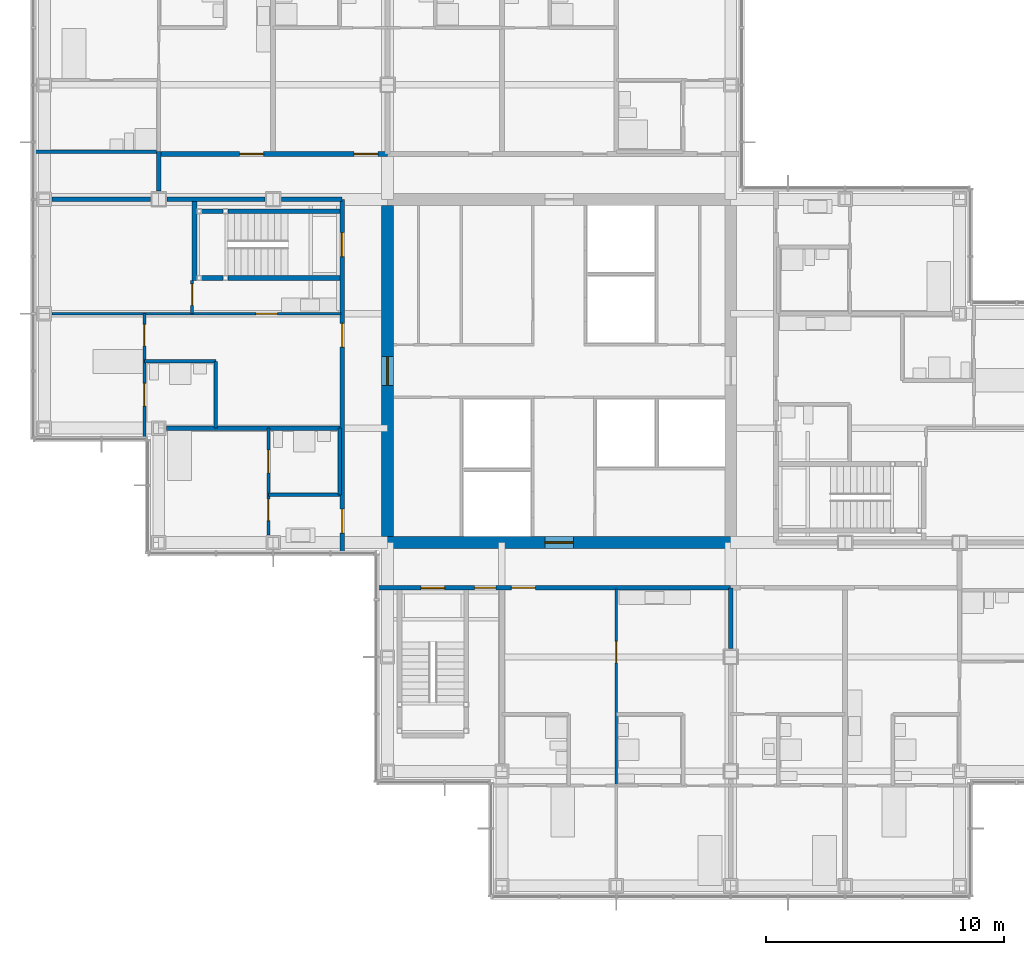
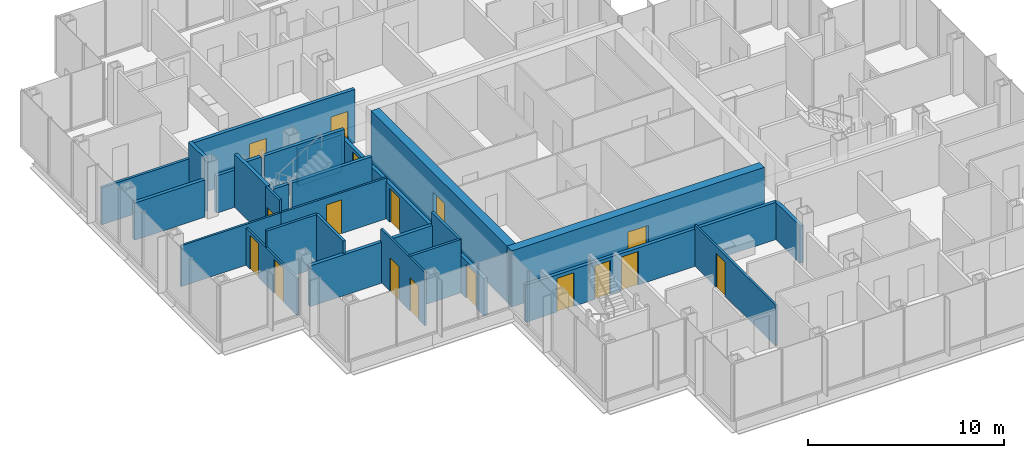
# One storey, part 13 of 20: 27 walls, 17 doors, 17 openings.
"""IFC4 building model written with IfcOpenShell, lengths in metres."""

from ifc_helpers import new_model, si_unit, direction, frame, frame_2d, origin, place, context, subcontext, project, spatial, rectangle, extrude, material, layer, layer_set, type_object, element, fill, save


model = new_model("IFC4")

# Units and contexts
model_context = context("Model", 3, precision=1e-05, world=origin(), true_north=direction((0.0, 1.0)))
body_context = subcontext(model_context, "Body", "Model", "MODEL_VIEW")
ifc_project = project(units=[si_unit("LENGTHUNIT", "METRE"), si_unit("AREAUNIT", "SQUARE_METRE"), si_unit("VOLUMEUNIT", "CUBIC_METRE"), si_unit("PLANEANGLEUNIT", "RADIAN"), si_unit("MASSUNIT", "GRAM", prefix="KILO")], contexts=[model_context])

# Site, building, storey
site_placement = place(None, origin())
site = spatial("IfcSite", under=ifc_project, at=site_placement, CompositionType="ELEMENT")
building_placement = place(site_placement, origin())
building = spatial("IfcBuilding", under=site, at=building_placement, Name="Kvirike Care Tower", CompositionType="ELEMENT")
storey_placement = place(building_placement, frame((0.0, 0.0, 119.0)))
storey = spatial("IfcBuildingStorey", under=building, at=storey_placement, Name="L32", CompositionType="ELEMENT", Elevation=119.0)

# Walls
ifc_material_1 = material(Name="Moisture-resistant board partition", Category="gypsum")
ifc_layer_1 = layer(ifc_material_1, 0.14990234375)
ifc_layer_set_1 = layer_set([ifc_layer_1], Name="BATHROOM WALL 150")
wall_type_1 = type_object("IfcWallType", Name="BATHROOM WALL 150", PredefinedType="PARTITIONING", material=ifc_layer_set_1)
wall_1_placement = place(storey_placement, frame((4.199951171875, 36.39990234375, 0.0), z_axis=(0.0, 0.0, 1.0), x_axis=(1.0, 0.0, 0.0)))
element("IfcWall", 1, at=wall_1_placement, inside=storey, type_object=wall_type_1, Name="Bathroom Wall 150 L32", PredefinedType="PARTITIONING", context=body_context, shape_type="SweptSolid", body=[
    extrude(rectangle(XDim=3.0, YDim=0.14990234375, at=frame_2d((1.5, 0.0))), origin(), (0.0, 0.0, 1.0), 3.330078125),
])
wall_2_placement = place(storey_placement, frame((7.199951171875, 36.39990234375, 0.0), z_axis=(0.0, 0.0, 1.0), x_axis=(0.0, -1.0, 0.0)))
element("IfcWall", 2, at=wall_2_placement, inside=storey, type_object=wall_type_1, Name="Bathroom Wall 150 L32", PredefinedType="PARTITIONING", context=body_context, shape_type="SweptSolid", body=[
    extrude(rectangle(XDim=2.7998046875, YDim=0.14990234375, at=frame_2d((1.39990234375, 0.0))), origin(), (0.0, 0.0, 1.0), 3.330078125),
])
wall_3_placement = place(storey_placement, frame((9.39990234375, 30.800048828125, 0.0), z_axis=(0.0, 0.0, 1.0), x_axis=(1.0, 0.0, 0.0)))
element("IfcWall", 3, at=wall_3_placement, inside=storey, type_object=wall_type_1, Name="Bathroom Wall 150 L32", PredefinedType="PARTITIONING", context=body_context, shape_type="SweptSolid", body=[
    extrude(rectangle(XDim=3.0, YDim=0.14990234375, at=frame_2d((1.5, 0.0))), origin(), (0.0, 0.0, 1.0), 3.330078125),
])
wall_4_placement = place(storey_placement, frame((12.39990234375, 33.60009765625, 0.0), z_axis=(0.0, 0.0, 1.0), x_axis=(0.0, -1.0, 0.0)))
element("IfcWall", 4, at=wall_4_placement, inside=storey, type_object=wall_type_1, Name="Bathroom Wall 150 L32", PredefinedType="PARTITIONING", context=body_context, shape_type="SweptSolid", body=[
    extrude(rectangle(XDim=2.800048828125, YDim=0.14990234375, at=frame_2d((1.39990234375, 0.0))), origin(), (0.0, 0.0, 1.0), 3.330078125),
])
wall_5_placement = place(storey_placement, frame((4.699951171875, 45.199951171875, 0.0), z_axis=(0.0, 0.0, 1.0), x_axis=(-1.0, 0.0, 0.0)))
element("IfcWall", 5, at=wall_5_placement, inside=storey, type_object=wall_type_1, Name="Bathroom Wall 150 L32", PredefinedType="PARTITIONING", context=body_context, shape_type="SweptSolid", body=[
    extrude(rectangle(XDim=5.139892578125, YDim=0.14990234375, at=frame_2d((2.56982421875, 0.0))), origin(), (0.0, 0.0, 1.0), 2.320068359375),
])

# Wall, opening, door
ifc_material_2 = material(Name="Concrete C50/60", Category="concrete")
ifc_layer_2 = layer(ifc_material_2, 0.5)
ifc_layer_set_2 = layer_set([ifc_layer_2], Name="CORE WALL 500 C50-60")
wall_type_2 = type_object("IfcWallType", Name="CORE WALL 500 C50-60", PredefinedType="SHEAR", material=ifc_layer_set_2)
wall_6_placement = place(storey_placement, frame((14.14990234375, 28.800048828125, -0.169921875), z_axis=(0.0, 0.0, 1.0), x_axis=(1.0, 0.0, 0.0)))
wall_6 = element("IfcWall", 6, at=wall_6_placement, inside=storey, type_object=wall_type_2, Name="Core wall S L32", PredefinedType="SHEAR", context=body_context, shape_type="SweptSolid", body=[
    extrude(rectangle(XDim=14.900146484375, YDim=0.5, at=frame_2d((7.4501953125, 0.0))), origin(), (0.0, 0.0, 1.0), 3.5),
])
opening_1_placement = place(wall_6_placement, frame((6.85009765625, 0.0, 0.169921875)))
opening_1 = element("IfcOpeningElement", 7, at=opening_1_placement, cuts=wall_6, Name="Opening 32-068", PredefinedType="OPENING", context=body_context, shape_type="SweptSolid", body=[
    extrude(rectangle(XDim=1.199951171875, YDim=2.10009765625, at=frame_2d((0.60009765625, 1.050048828125))), frame((0.0, 0.260498046875, 0.0), z_axis=(0.0, -1.0, 0.0), x_axis=(1.0, 0.0, 0.0)), (0.0, 0.0, 1.0), 0.52099609375),
])
ifc_material_3 = material(Name="Timber door set", Category="wood")
door_type_1 = type_object("IfcDoorType", Name="CORE DOOR 1200", OperationType="SINGLE_SWING_LEFT", PredefinedType="DOOR", material=ifc_material_3)
door_1_placement = place(opening_1_placement, origin())
door_1 = element("IfcDoor", 8, at=door_1_placement, inside=storey, type_object=door_type_1, Name="Core door S L32", OperationType="SINGLE_SWING_LEFT", OverallHeight=2.10009765625, OverallWidth=1.199951171875, PredefinedType="DOOR", context=body_context, shape_type="SweptSolid", body=[
    extrude(rectangle(XDim=1.199951171875, YDim=2.10009765625, at=frame_2d((0.60009765625, 1.050048828125))), frame((0.0, 0.02685546875, 0.0), z_axis=(0.0, -1.0, 0.0), x_axis=(1.0, 0.0, 0.0)), (0.0, 0.0, 1.0), 0.053955078125),
])
fill(opening_1, door_1)

wall_7_placement = place(storey_placement, frame((14.39990234375, 42.949951171875, -0.169921875), z_axis=(0.0, 0.0, 1.0), x_axis=(0.0, -1.0, 0.0)))
wall_7 = element("IfcWall", 9, at=wall_7_placement, inside=storey, type_object=wall_type_2, Name="Core wall W L32", PredefinedType="SHEAR", context=body_context, shape_type="SweptSolid", body=[
    extrude(rectangle(XDim=13.89990234375, YDim=0.5, at=frame_2d((6.949951171875, 0.0))), origin(), (0.0, 0.0, 1.0), 3.5),
])
opening_2_placement = place(wall_7_placement, frame((6.35009765625, 0.0, 0.169921875)))
opening_2 = element("IfcOpeningElement", 10, at=opening_2_placement, cuts=wall_7, Name="Opening 32-069", PredefinedType="OPENING", context=body_context, shape_type="SweptSolid", body=[
    extrude(rectangle(XDim=1.199951171875, YDim=2.10009765625, at=frame_2d((0.60009765625, 1.050048828125))), frame((0.0, 0.260498046875, 0.0), z_axis=(0.0, -1.0, 0.0), x_axis=(1.0, 0.0, 0.0)), (0.0, 0.0, 1.0), 0.52099609375),
])
door_2_placement = place(opening_2_placement, origin())
door_2 = element("IfcDoor", 11, at=door_2_placement, inside=storey, type_object=door_type_1, Name="Core door W L32", OperationType="SINGLE_SWING_LEFT", OverallHeight=2.10009765625, OverallWidth=1.199951171875, PredefinedType="DOOR", context=body_context, shape_type="SweptSolid", body=[
    extrude(rectangle(XDim=1.199951171875, YDim=2.10009765625, at=frame_2d((0.60009765625, 1.050048828125))), frame((0.0, 0.02685546875, 0.0), z_axis=(0.0, -1.0, 0.0), x_axis=(1.0, 0.0, 0.0)), (0.0, 0.0, 1.0), 0.053955078125),
])
fill(opening_2, door_2)

# Wall, openings, doors
ifc_material_4 = material(Name="Plasterboard corridor wall", Category="gypsum")
ifc_layer_3 = layer(ifc_material_4, 0.199951171875)
ifc_layer_set_3 = layer_set([ifc_layer_3], Name="CORRIDOR WALL 200")
wall_type_3 = type_object("IfcWallType", Name="CORRIDOR WALL 200", PredefinedType="PARTITIONING", material=ifc_layer_set_3)
wall_8_placement = place(storey_placement, frame((12.5, 43.199951171875, 0.0), z_axis=(0.0, 0.0, 1.0), x_axis=(0.0, -1.0, 0.0)))
wall_8 = element("IfcWall", 12, at=wall_8_placement, inside=storey, type_object=wall_type_3, Name="Corridor Wall 200 L32", PredefinedType="PARTITIONING", context=body_context, shape_type="SweptSolid", body=[
    extrude(rectangle(XDim=14.83984375, YDim=0.199951171875, at=frame_2d((7.419921875, 0.0))), origin(), (0.0, 0.0, 1.0), 2.320068359375),
])
opening_3_placement = place(wall_8_placement, frame((1.39990234375, 0.0, 0.0)))
opening_3 = element("IfcOpeningElement", 13, at=opening_3_placement, cuts=wall_8, Name="Opening 32-007", PredefinedType="OPENING", context=body_context, shape_type="SweptSolid", body=[
    extrude(rectangle(XDim=1.0, YDim=2.10009765625, at=frame_2d((0.5, 1.050048828125))), frame((0.0, 0.110595703125, 0.0), z_axis=(0.0, -1.0, 0.0), x_axis=(1.0, 0.0, 0.0)), (0.0, 0.0, 1.0), 0.220947265625),
])
opening_4_placement = place(wall_8_placement, frame((5.199951171875, 0.0, 0.0)))
opening_4 = element("IfcOpeningElement", 14, at=opening_4_placement, cuts=wall_8, Name="Opening 32-008", PredefinedType="OPENING", context=body_context, shape_type="SweptSolid", body=[
    extrude(rectangle(XDim=1.0, YDim=2.10009765625, at=frame_2d((0.5, 1.050048828125))), frame((0.0, 0.110595703125, 0.0), z_axis=(0.0, -1.0, 0.0), x_axis=(1.0, 0.0, 0.0)), (0.0, 0.0, 1.0), 0.220947265625),
])
opening_5_placement = place(wall_8_placement, frame((13.0, 0.0, 0.0)))
opening_5 = element("IfcOpeningElement", 15, at=opening_5_placement, cuts=wall_8, Name="Opening 32-009", PredefinedType="OPENING", context=body_context, shape_type="SweptSolid", body=[
    extrude(rectangle(XDim=1.0, YDim=2.10009765625, at=frame_2d((0.5, 1.050048828125))), frame((0.0, 0.110595703125, 0.0), z_axis=(0.0, -1.0, 0.0), x_axis=(1.0, 0.0, 0.0)), (0.0, 0.0, 1.0), 0.220947265625),
])
ifc_material_5 = material(Name="Timber door set", Category="wood")
door_type_2 = type_object("IfcDoorType", Name="FLAT ENTRANCE DOOR 1000", OperationType="SINGLE_SWING_LEFT", PredefinedType="DOOR", material=ifc_material_5)
door_3_placement = place(opening_4_placement, frame((1.0, 0.0, 0.0), z_axis=(0.0, 0.0, 1.0), x_axis=(-1.0, 0.0, 0.0)))
door_3 = element("IfcDoor", 16, at=door_3_placement, inside=storey, type_object=door_type_2, Name="Assisted living suite entrance", OperationType="SINGLE_SWING_LEFT", OverallHeight=2.10009765625, OverallWidth=1.0, PredefinedType="DOOR", context=body_context, shape_type="SweptSolid", body=[
    extrude(rectangle(XDim=1.0, YDim=2.10009765625, at=frame_2d((0.5, 1.050048828125))), frame((0.0, 0.02685546875, 0.0), z_axis=(0.0, -1.0, 0.0), x_axis=(1.0, 0.0, 0.0)), (0.0, 0.0, 1.0), 0.053955078125),
])
fill(opening_4, door_3)
door_4_placement = place(opening_5_placement, frame((1.0, 0.0, 0.0), z_axis=(0.0, 0.0, 1.0), x_axis=(-1.0, 0.0, 0.0)))
door_4 = element("IfcDoor", 17, at=door_4_placement, inside=storey, type_object=door_type_2, Name="Assisted living suite entrance", OperationType="SINGLE_SWING_RIGHT", OverallHeight=2.10009765625, OverallWidth=1.0, PredefinedType="DOOR", context=body_context, shape_type="SweptSolid", body=[
    extrude(rectangle(XDim=1.0, YDim=2.10009765625, at=frame_2d((0.5, 1.050048828125))), frame((0.0, 0.02685546875, 0.0), z_axis=(0.0, -1.0, 0.0), x_axis=(1.0, 0.0, 0.0)), (0.0, 0.0, 1.0), 0.053955078125),
])
fill(opening_5, door_4)
ifc_material_6 = material(Name="Timber door set", Category="wood")
door_type_3 = type_object("IfcDoorType", Name="STAIR DOOR 1000", OperationType="SINGLE_SWING_LEFT", PredefinedType="DOOR", material=ifc_material_6)
door_5_placement = place(opening_3_placement, frame((1.0, 0.0, 0.0), z_axis=(0.0, 0.0, 1.0), x_axis=(-1.0, 0.0, 0.0)))
door_5 = element("IfcDoor", 18, at=door_5_placement, inside=storey, type_object=door_type_3, Name="Stair 1 door", OperationType="SINGLE_SWING_RIGHT", OverallHeight=2.10009765625, OverallWidth=1.0, PredefinedType="DOOR", context=body_context, shape_type="SweptSolid", body=[
    extrude(rectangle(XDim=1.0, YDim=2.10009765625, at=frame_2d((0.5, 1.050048828125))), frame((0.0, 0.031982421875, 0.0), z_axis=(0.0, -1.0, 0.0), x_axis=(1.0, 0.0, 0.0)), (0.0, 0.0, 1.0), 0.06396484375),
])
fill(opening_3, door_5)

wall_9_placement = place(storey_placement, frame((14.39990234375, 45.10009765625, 0.0), z_axis=(0.0, 0.0, 1.0), x_axis=(-1.0, 0.0, 0.0)))
wall_9 = element("IfcWall", 19, at=wall_9_placement, inside=storey, type_object=wall_type_3, Name="Corridor Wall 200 L32", PredefinedType="PARTITIONING", context=body_context, shape_type="SweptSolid", body=[
    extrude(rectangle(XDim=9.599853515625, YDim=0.199951171875, at=frame_2d((4.7998046875, 0.0))), origin(), (0.0, 0.0, 1.0), 3.330078125),
])
opening_6_placement = place(wall_9_placement, frame((0.39990234375, 0.0, 0.0)))
opening_6 = element("IfcOpeningElement", 20, at=opening_6_placement, cuts=wall_9, Name="Opening 32-017", PredefinedType="OPENING", context=body_context, shape_type="SweptSolid", body=[
    extrude(rectangle(XDim=1.0, YDim=2.10009765625, at=frame_2d((0.5, 1.050048828125))), frame((0.0, 0.110595703125, 0.0), z_axis=(0.0, -1.0, 0.0), x_axis=(1.0, 0.0, 0.0)), (0.0, 0.0, 1.0), 0.220947265625),
])
opening_7_placement = place(wall_9_placement, frame((5.199951171875, 0.0, 0.0)))
opening_7 = element("IfcOpeningElement", 21, at=opening_7_placement, cuts=wall_9, Name="Opening 32-018", PredefinedType="OPENING", context=body_context, shape_type="SweptSolid", body=[
    extrude(rectangle(XDim=1.0, YDim=2.10009765625, at=frame_2d((0.5, 1.050048828125))), frame((0.0, 0.110595703125, 0.0), z_axis=(0.0, -1.0, 0.0), x_axis=(1.0, 0.0, 0.0)), (0.0, 0.0, 1.0), 0.220947265625),
])
door_6_placement = place(opening_6_placement, frame((1.0, 0.0, 0.0), z_axis=(0.0, 0.0, 1.0), x_axis=(-1.0, 0.0, 0.0)))
door_6 = element("IfcDoor", 22, at=door_6_placement, inside=storey, type_object=door_type_2, Name="Assisted living suite entrance", OperationType="SINGLE_SWING_LEFT", OverallHeight=2.10009765625, OverallWidth=1.0, PredefinedType="DOOR", context=body_context, shape_type="SweptSolid", body=[
    extrude(rectangle(XDim=1.0, YDim=2.10009765625, at=frame_2d((0.5, 1.050048828125))), frame((0.0, 0.02685546875, 0.0), z_axis=(0.0, -1.0, 0.0), x_axis=(1.0, 0.0, 0.0)), (0.0, 0.0, 1.0), 0.053955078125),
])
fill(opening_6, door_6)
door_7_placement = place(opening_7_placement, frame((1.0, 0.0, 0.0), z_axis=(0.0, 0.0, 1.0), x_axis=(-1.0, 0.0, 0.0)))
door_7 = element("IfcDoor", 23, at=door_7_placement, inside=storey, type_object=door_type_2, Name="Two-bedroom assisted living suite entrance", OperationType="SINGLE_SWING_LEFT", OverallHeight=2.10009765625, OverallWidth=1.0, PredefinedType="DOOR", context=body_context, shape_type="SweptSolid", body=[
    extrude(rectangle(XDim=1.0, YDim=2.10009765625, at=frame_2d((0.5, 1.050048828125))), frame((0.0, 0.02685546875, 0.0), z_axis=(0.0, -1.0, 0.0), x_axis=(1.0, 0.0, 0.0)), (0.0, 0.0, 1.0), 0.053955078125),
])
fill(opening_7, door_7)

# Wall
wall_10_placement = place(storey_placement, frame((4.800048828125, 45.199951171875, 0.0), z_axis=(0.0, 0.0, 1.0), x_axis=(0.0, -1.0, 0.0)))
element("IfcWall", 24, at=wall_10_placement, inside=storey, type_object=wall_type_3, Name="Corridor Wall 200 L32", PredefinedType="PARTITIONING", context=body_context, shape_type="SweptSolid", body=[
    extrude(rectangle(XDim=1.655029296875, YDim=0.199951171875, at=frame_2d((0.82763671875, 0.0))), origin(), (0.0, 0.0, 1.0), 3.330078125),
])

# Wall, openings, doors
wall_11_placement = place(storey_placement, frame((13.9599609375, 26.89990234375, 0.0), z_axis=(0.0, 0.0, 1.0), x_axis=(1.0, 0.0, 0.0)))
wall_11 = element("IfcWall", 25, at=wall_11_placement, inside=storey, type_object=wall_type_3, Name="Corridor Wall 200 L32", PredefinedType="PARTITIONING", context=body_context, shape_type="SweptSolid", body=[
    extrude(rectangle(XDim=14.840087890625, YDim=0.199951171875, at=frame_2d((7.419921875, 0.0))), origin(), (0.0, 0.0, 1.0), 2.320068359375),
])
opening_8_placement = place(wall_11_placement, frame((1.840087890625, 0.0, 0.0)))
opening_8 = element("IfcOpeningElement", 26, at=opening_8_placement, cuts=wall_11, Name="Opening 32-024", PredefinedType="OPENING", context=body_context, shape_type="SweptSolid", body=[
    extrude(rectangle(XDim=1.0, YDim=2.10009765625, at=frame_2d((0.5, 1.050048828125))), frame((0.0, 0.110595703125, 0.0), z_axis=(0.0, -1.0, 0.0), x_axis=(1.0, 0.0, 0.0)), (0.0, 0.0, 1.0), 0.220947265625),
])
opening_9_placement = place(wall_11_placement, frame((4.090087890625, 0.0, 0.0)))
opening_9 = element("IfcOpeningElement", 27, at=opening_9_placement, cuts=wall_11, Name="Opening 32-025", PredefinedType="OPENING", context=body_context, shape_type="SweptSolid", body=[
    extrude(rectangle(XDim=0.89990234375, YDim=2.10009765625, at=frame_2d((0.449951171875, 1.050048828125))), frame((0.0, 0.110595703125, 0.0), z_axis=(0.0, -1.0, 0.0), x_axis=(1.0, 0.0, 0.0)), (0.0, 0.0, 1.0), 0.220947265625),
])
opening_10_placement = place(wall_11_placement, frame((5.639892578125, 0.0, 0.0)))
opening_10 = element("IfcOpeningElement", 28, at=opening_10_placement, cuts=wall_11, Name="Opening 32-026", PredefinedType="OPENING", context=body_context, shape_type="SweptSolid", body=[
    extrude(rectangle(XDim=1.0, YDim=2.10009765625, at=frame_2d((0.5, 1.050048828125))), frame((0.0, 0.110595703125, 0.0), z_axis=(0.0, -1.0, 0.0), x_axis=(1.0, 0.0, 0.0)), (0.0, 0.0, 1.0), 0.220947265625),
])
door_8_placement = place(opening_10_placement, frame((1.0, 0.0, 0.0), z_axis=(0.0, 0.0, 1.0), x_axis=(-1.0, 0.0, 0.0)))
door_8 = element("IfcDoor", 29, at=door_8_placement, inside=storey, type_object=door_type_2, Name="Two-bedroom assisted living suite entrance", OperationType="SINGLE_SWING_LEFT", OverallHeight=2.10009765625, OverallWidth=1.0, PredefinedType="DOOR", context=body_context, shape_type="SweptSolid", body=[
    extrude(rectangle(XDim=1.0, YDim=2.10009765625, at=frame_2d((0.5, 1.050048828125))), frame((0.0, 0.02685546875, 0.0), z_axis=(0.0, -1.0, 0.0), x_axis=(1.0, 0.0, 0.0)), (0.0, 0.0, 1.0), 0.053955078125),
])
fill(opening_10, door_8)
door_9_placement = place(opening_8_placement, frame((1.0, 0.0, 0.0), z_axis=(0.0, 0.0, 1.0), x_axis=(-1.0, 0.0, 0.0)))
door_9 = element("IfcDoor", 30, at=door_9_placement, inside=storey, type_object=door_type_3, Name="Stair 5 door", OperationType="SINGLE_SWING_RIGHT", OverallHeight=2.10009765625, OverallWidth=1.0, PredefinedType="DOOR", context=body_context, shape_type="SweptSolid", body=[
    extrude(rectangle(XDim=1.0, YDim=2.10009765625, at=frame_2d((0.5, 1.050048828125))), frame((0.0, 0.031982421875, 0.0), z_axis=(0.0, -1.0, 0.0), x_axis=(1.0, 0.0, 0.0)), (0.0, 0.0, 1.0), 0.06396484375),
])
fill(opening_8, door_9)
ifc_material_7 = material(Name="Timber door set", Category="wood")
door_type_4 = type_object("IfcDoorType", Name="STORE DOOR 900", OperationType="SINGLE_SWING_LEFT", PredefinedType="DOOR", material=ifc_material_7)
door_10_placement = place(opening_9_placement, frame((0.89990234375, 0.0, 0.0), z_axis=(0.0, 0.0, 1.0), x_axis=(-1.0, 0.0, 0.0)))
door_10 = element("IfcDoor", 31, at=door_10_placement, inside=storey, type_object=door_type_4, Name="Housekeeping room door", OperationType="SINGLE_SWING_RIGHT", OverallHeight=2.10009765625, OverallWidth=0.89990234375, PredefinedType="DOOR", context=body_context, shape_type="SweptSolid", body=[
    extrude(rectangle(XDim=0.89990234375, YDim=2.10009765625, at=frame_2d((0.449951171875, 1.050048828125))), frame((0.0, 0.02685546875, 0.0), z_axis=(0.0, -1.0, 0.0), x_axis=(1.0, 0.0, 0.0)), (0.0, 0.0, 1.0), 0.053955078125),
])
fill(opening_9, door_10)

# Wall, opening, door
ifc_material_8 = material(Name="Plasterboard partition", Category="gypsum")
ifc_layer_4 = layer(ifc_material_8, 0.1201171875)
ifc_layer_set_4 = layer_set([ifc_layer_4], Name="PARTITION 120")
wall_type_4 = type_object("IfcWallType", Name="PARTITION 120", PredefinedType="PARTITIONING", material=ifc_layer_set_4)
wall_12_placement = place(storey_placement, frame((6.199951171875, 38.39990234375, 0.0), z_axis=(0.0, 0.0, 1.0), x_axis=(1.0, 0.0, 0.0)))
wall_12 = element("IfcWall", 32, at=wall_12_placement, inside=storey, type_object=wall_type_4, Name="Partition 120 L32", PredefinedType="PARTITIONING", context=body_context, shape_type="SweptSolid", body=[
    extrude(rectangle(XDim=6.25, YDim=0.1201171875, at=frame_2d((3.125, 0.0))), origin(), (0.0, 0.0, 1.0), 2.550048828125),
])
opening_11_placement = place(wall_12_placement, frame((2.675048828125, 0.0, 0.0)))
opening_11 = element("IfcOpeningElement", 33, at=opening_11_placement, cuts=wall_12, Name="Opening 32-001", PredefinedType="OPENING", context=body_context, shape_type="SweptSolid", body=[
    extrude(rectangle(XDim=0.89990234375, YDim=2.10009765625, at=frame_2d((0.449951171875, 1.050048828125))), frame((0.0, 0.070556640625, 0.0), z_axis=(0.0, -1.0, 0.0), x_axis=(1.0, 0.0, 0.0)), (0.0, 0.0, 1.0), 0.14111328125),
])
ifc_material_9 = material(Name="Timber door set", Category="wood")
door_type_5 = type_object("IfcDoorType", Name="INTERNAL DOOR 900", OperationType="SINGLE_SWING_LEFT", PredefinedType="DOOR", material=ifc_material_9)
door_11_placement = place(opening_11_placement, origin())
door_11 = element("IfcDoor", 34, at=door_11_placement, inside=storey, type_object=door_type_5, Name="Hall door", OperationType="SINGLE_SWING_RIGHT", OverallHeight=2.10009765625, OverallWidth=0.89990234375, PredefinedType="DOOR", context=body_context, shape_type="SweptSolid", body=[
    extrude(rectangle(XDim=0.89990234375, YDim=2.10009765625, at=frame_2d((0.449951171875, 1.050048828125))), frame((0.0, 0.02197265625, 0.0), z_axis=(0.0, -1.0, 0.0), x_axis=(1.0, 0.0, 0.0)), (0.0, 0.0, 1.0), 0.0439453125),
])
fill(opening_11, door_11)

wall_13_placement = place(storey_placement, frame((6.199951171875, 39.800048828125, 0.0), z_axis=(0.0, 0.0, 1.0), x_axis=(0.0, -1.0, 0.0)))
wall_13 = element("IfcWall", 35, at=wall_13_placement, inside=storey, type_object=wall_type_4, Name="Partition 120 L32", PredefinedType="PARTITIONING", context=body_context, shape_type="SweptSolid", body=[
    extrude(rectangle(XDim=1.400146484375, YDim=0.1201171875, at=frame_2d((0.7001953125, 0.0))), origin(), (0.0, 0.0, 1.0), 3.330078125),
])
opening_12_placement = place(wall_13_placement, frame((0.14990234375, 0.0, 0.0)))
opening_12 = element("IfcOpeningElement", 36, at=opening_12_placement, cuts=wall_13, Name="Opening 32-002", PredefinedType="OPENING", context=body_context, shape_type="SweptSolid", body=[
    extrude(rectangle(XDim=0.89990234375, YDim=2.10009765625, at=frame_2d((0.449951171875, 1.050048828125))), frame((0.0, 0.070556640625, 0.0), z_axis=(0.0, -1.0, 0.0), x_axis=(1.0, 0.0, 0.0)), (0.0, 0.0, 1.0), 0.14111328125),
])
door_12_placement = place(opening_12_placement, origin())
door_12 = element("IfcDoor", 37, at=door_12_placement, inside=storey, type_object=door_type_5, Name="Suite sitting room door", OperationType="SINGLE_SWING_RIGHT", OverallHeight=2.10009765625, OverallWidth=0.89990234375, PredefinedType="DOOR", context=body_context, shape_type="SweptSolid", body=[
    extrude(rectangle(XDim=0.89990234375, YDim=2.10009765625, at=frame_2d((0.449951171875, 1.050048828125))), frame((0.0, 0.02197265625, 0.0), z_axis=(0.0, -1.0, 0.0), x_axis=(1.0, 0.0, 0.0)), (0.0, 0.0, 1.0), 0.0439453125),
])
fill(opening_12, door_12)

# Wall, openings, doors
wall_14_placement = place(storey_placement, frame((4.199951171875, 38.39990234375, 0.0), z_axis=(0.0, 0.0, 1.0), x_axis=(0.0, -1.0, 0.0)))
wall_14 = element("IfcWall", 38, at=wall_14_placement, inside=storey, type_object=wall_type_4, Name="Partition 120 L32", PredefinedType="PARTITIONING", context=body_context, shape_type="SweptSolid", body=[
    extrude(rectangle(XDim=5.239990234375, YDim=0.1201171875, at=frame_2d((2.6201171875, 0.0))), origin(), (0.0, 0.0, 1.0), 2.320068359375),
])
opening_13_placement = place(wall_14_placement, frame((0.449951171875, 0.0, 0.0)))
opening_13 = element("IfcOpeningElement", 39, at=opening_13_placement, cuts=wall_14, Name="Opening 32-003", PredefinedType="OPENING", context=body_context, shape_type="SweptSolid", body=[
    extrude(rectangle(XDim=0.89990234375, YDim=2.10009765625, at=frame_2d((0.449951171875, 1.050048828125))), frame((0.0, 0.070556640625, 0.0), z_axis=(0.0, -1.0, 0.0), x_axis=(1.0, 0.0, 0.0)), (0.0, 0.0, 1.0), 0.14111328125),
])
opening_14_placement = place(wall_14_placement, frame((2.925048828125, 0.0, 0.0)))
opening_14 = element("IfcOpeningElement", 40, at=opening_14_placement, cuts=wall_14, Name="Opening 32-004", PredefinedType="OPENING", context=body_context, shape_type="SweptSolid", body=[
    extrude(rectangle(XDim=0.949951171875, YDim=2.10009765625, at=frame_2d((0.47509765625, 1.050048828125))), frame((0.0, 0.070556640625, 0.0), z_axis=(0.0, -1.0, 0.0), x_axis=(1.0, 0.0, 0.0)), (0.0, 0.0, 1.0), 0.14111328125),
])
ifc_material_10 = material(Name="Timber door set", Category="wood")
door_type_6 = type_object("IfcDoorType", Name="EN-SUITE SLIDING DOOR 950", OperationType="SLIDING_TO_LEFT", PredefinedType="DOOR", material=ifc_material_10)
door_13_placement = place(opening_14_placement, origin())
door_13 = element("IfcDoor", 41, at=door_13_placement, inside=storey, type_object=door_type_6, Name="En-suite door", OperationType="SLIDING_TO_RIGHT", OverallHeight=2.10009765625, OverallWidth=0.949951171875, PredefinedType="DOOR", context=body_context, shape_type="SweptSolid", body=[
    extrude(rectangle(XDim=0.949951171875, YDim=2.10009765625, at=frame_2d((0.47509765625, 1.050048828125))), frame((0.0, 0.02197265625, 0.0), z_axis=(0.0, -1.0, 0.0), x_axis=(1.0, 0.0, 0.0)), (0.0, 0.0, 1.0), 0.0439453125),
])
fill(opening_14, door_13)
door_14_placement = place(opening_13_placement, frame((0.89990234375, 0.0, 0.0), z_axis=(0.0, 0.0, 1.0), x_axis=(-1.0, 0.0, 0.0)))
door_14 = element("IfcDoor", 42, at=door_14_placement, inside=storey, type_object=door_type_5, Name="Assisted living suite door", OperationType="SINGLE_SWING_LEFT", OverallHeight=2.10009765625, OverallWidth=0.89990234375, PredefinedType="DOOR", context=body_context, shape_type="SweptSolid", body=[
    extrude(rectangle(XDim=0.89990234375, YDim=2.10009765625, at=frame_2d((0.449951171875, 1.050048828125))), frame((0.0, 0.02197265625, 0.0), z_axis=(0.0, -1.0, 0.0), x_axis=(1.0, 0.0, 0.0)), (0.0, 0.0, 1.0), 0.0439453125),
])
fill(opening_13, door_14)

# Wall
wall_15_placement = place(storey_placement, frame((0.320068359375, 38.39990234375, 0.0), z_axis=(0.0, 0.0, 1.0), x_axis=(1.0, 0.0, 0.0)))
element("IfcWall", 43, at=wall_15_placement, inside=storey, type_object=wall_type_4, Name="Partition 120 L32", PredefinedType="PARTITIONING", context=body_context, shape_type="SweptSolid", body=[
    extrude(rectangle(XDim=5.8798828125, YDim=0.1201171875, at=frame_2d((2.93994140625, 0.0))), origin(), (0.0, 0.0, 1.0), 2.550048828125),
])

# Wall, openings, doors
wall_16_placement = place(storey_placement, frame((9.39990234375, 33.60009765625, 0.0), z_axis=(0.0, 0.0, 1.0), x_axis=(0.0, -1.0, 0.0)))
wall_16 = element("IfcWall", 44, at=wall_16_placement, inside=storey, type_object=wall_type_4, Name="Partition 120 L32", PredefinedType="PARTITIONING", context=body_context, shape_type="SweptSolid", body=[
    extrude(rectangle(XDim=4.47998046875, YDim=0.1201171875, at=frame_2d((2.239990234375, 0.0))), origin(), (0.0, 0.0, 1.0), 3.330078125),
])
opening_15_placement = place(wall_16_placement, frame((2.97509765625, 0.0, 0.0)))
opening_15 = element("IfcOpeningElement", 45, at=opening_15_placement, cuts=wall_16, Name="Opening 32-005", PredefinedType="OPENING", context=body_context, shape_type="SweptSolid", body=[
    extrude(rectangle(XDim=0.89990234375, YDim=2.10009765625, at=frame_2d((0.449951171875, 1.050048828125))), frame((0.0, 0.070556640625, 0.0), z_axis=(0.0, -1.0, 0.0), x_axis=(1.0, 0.0, 0.0)), (0.0, 0.0, 1.0), 0.14111328125),
])
opening_16_placement = place(wall_16_placement, frame((0.925048828125, 0.0, 0.0)))
opening_16 = element("IfcOpeningElement", 46, at=opening_16_placement, cuts=wall_16, Name="Opening 32-006", PredefinedType="OPENING", context=body_context, shape_type="SweptSolid", body=[
    extrude(rectangle(XDim=0.949951171875, YDim=2.10009765625, at=frame_2d((0.47509765625, 1.050048828125))), frame((0.0, 0.070556640625, 0.0), z_axis=(0.0, -1.0, 0.0), x_axis=(1.0, 0.0, 0.0)), (0.0, 0.0, 1.0), 0.14111328125),
])
door_15_placement = place(opening_16_placement, origin())
door_15 = element("IfcDoor", 47, at=door_15_placement, inside=storey, type_object=door_type_6, Name="En-suite door", OperationType="SLIDING_TO_LEFT", OverallHeight=2.10009765625, OverallWidth=0.949951171875, PredefinedType="DOOR", context=body_context, shape_type="SweptSolid", body=[
    extrude(rectangle(XDim=0.949951171875, YDim=2.10009765625, at=frame_2d((0.47509765625, 1.050048828125))), frame((0.0, 0.02197265625, 0.0), z_axis=(0.0, -1.0, 0.0), x_axis=(1.0, 0.0, 0.0)), (0.0, 0.0, 1.0), 0.0439453125),
])
fill(opening_16, door_15)
door_16_placement = place(opening_15_placement, origin())
door_16 = element("IfcDoor", 48, at=door_16_placement, inside=storey, type_object=door_type_5, Name="Assisted living suite door", OperationType="SINGLE_SWING_RIGHT", OverallHeight=2.10009765625, OverallWidth=0.89990234375, PredefinedType="DOOR", context=body_context, shape_type="SweptSolid", body=[
    extrude(rectangle(XDim=0.89990234375, YDim=2.10009765625, at=frame_2d((0.449951171875, 1.050048828125))), frame((0.0, 0.02197265625, 0.0), z_axis=(0.0, -1.0, 0.0), x_axis=(1.0, 0.0, 0.0)), (0.0, 0.0, 1.0), 0.0439453125),
])
fill(opening_15, door_16)

# Wall, opening, door
wall_17_placement = place(storey_placement, frame((24.0, 18.60009765625, 0.0), z_axis=(0.0, 0.0, 1.0), x_axis=(0.0, 1.0, 0.0)))
wall_17 = element("IfcWall", 49, at=wall_17_placement, inside=storey, type_object=wall_type_4, Name="Partition 120 L32", PredefinedType="PARTITIONING", context=body_context, shape_type="SweptSolid", body=[
    extrude(rectangle(XDim=8.25, YDim=0.1201171875, at=frame_2d((4.125, 0.0))), origin(), (0.0, 0.0, 1.0), 2.550048828125),
])
opening_17_placement = place(wall_17_placement, frame((5.14990234375, 0.0, 0.0)))
opening_17 = element("IfcOpeningElement", 50, at=opening_17_placement, cuts=wall_17, Name="Opening 32-019", PredefinedType="OPENING", context=body_context, shape_type="SweptSolid", body=[
    extrude(rectangle(XDim=0.89990234375, YDim=2.10009765625, at=frame_2d((0.449951171875, 1.050048828125))), frame((0.0, 0.070556640625, 0.0), z_axis=(0.0, -1.0, 0.0), x_axis=(1.0, 0.0, 0.0)), (0.0, 0.0, 1.0), 0.14111328125),
])
door_17_placement = place(opening_17_placement, origin())
door_17 = element("IfcDoor", 51, at=door_17_placement, inside=storey, type_object=door_type_5, Name="Hall door", OperationType="SINGLE_SWING_LEFT", OverallHeight=2.10009765625, OverallWidth=0.89990234375, PredefinedType="DOOR", context=body_context, shape_type="SweptSolid", body=[
    extrude(rectangle(XDim=0.89990234375, YDim=2.10009765625, at=frame_2d((0.449951171875, 1.050048828125))), frame((0.0, 0.02197265625, 0.0), z_axis=(0.0, -1.0, 0.0), x_axis=(1.0, 0.0, 0.0)), (0.0, 0.0, 1.0), 0.0439453125),
])
fill(opening_17, door_17)

# Walls
ifc_material_11 = material(Name="Plasterboard party wall", Category="gypsum")
ifc_layer_5 = layer(ifc_material_11, 0.199951171875)
ifc_layer_set_5 = layer_set([ifc_layer_5], Name="PARTY WALL 200")
wall_type_5 = type_object("IfcWallType", Name="PARTY WALL 200", PredefinedType="PARTITIONING", material=ifc_layer_set_5)
wall_18_placement = place(storey_placement, frame((5.1201171875, 33.60009765625, 0.0), z_axis=(0.0, 0.0, 1.0), x_axis=(1.0, 0.0, 0.0)))
element("IfcWall", 52, at=wall_18_placement, inside=storey, type_object=wall_type_5, Name="Party Wall 200 L32", PredefinedType="PARTITIONING", context=body_context, shape_type="SweptSolid", body=[
    extrude(rectangle(XDim=7.27978515625, YDim=0.199951171875, at=frame_2d((3.639892578125, 0.0))), origin(), (0.0, 0.0, 1.0), 2.550048828125),
])
wall_19_placement = place(storey_placement, frame((12.5, 43.199951171875, 0.0), z_axis=(0.0, 0.0, 1.0), x_axis=(-1.0, 0.0, 0.0)))
element("IfcWall", 53, at=wall_19_placement, inside=storey, type_object=wall_type_5, Name="Party Wall 200 L32", PredefinedType="PARTITIONING", context=body_context, shape_type="SweptSolid", body=[
    extrude(rectangle(XDim=2.554931640625, YDim=0.199951171875, at=frame_2d((1.27734375, 0.0))), origin(), (0.0, 0.0, 1.0), 2.320068359375),
])
wall_20_placement = place(storey_placement, frame((9.2548828125, 43.199951171875, 0.0), z_axis=(0.0, 0.0, 1.0), x_axis=(-1.0, 0.0, 0.0)))
element("IfcWall", 54, at=wall_20_placement, inside=storey, type_object=wall_type_5, Name="Party Wall 200 L32", PredefinedType="PARTITIONING", context=body_context, shape_type="SweptSolid", body=[
    extrude(rectangle(XDim=4.10986328125, YDim=0.199951171875, at=frame_2d((2.054931640625, 0.0))), origin(), (0.0, 0.0, 1.0), 2.320068359375),
])
wall_21_placement = place(storey_placement, frame((4.455078125, 43.199951171875, 0.0), z_axis=(0.0, 0.0, 1.0), x_axis=(-1.0, 0.0, 0.0)))
element("IfcWall", 55, at=wall_21_placement, inside=storey, type_object=wall_type_5, Name="Party Wall 200 L32", PredefinedType="PARTITIONING", context=body_context, shape_type="SweptSolid", body=[
    extrude(rectangle(XDim=4.135009765625, YDim=0.199951171875, at=frame_2d((2.0673828125, 0.0))), origin(), (0.0, 0.0, 1.0), 2.320068359375),
])
wall_22_placement = place(storey_placement, frame((28.800048828125, 24.344970703125, 0.0), z_axis=(0.0, 0.0, 1.0), x_axis=(0.0, 1.0, 0.0)))
element("IfcWall", 56, at=wall_22_placement, inside=storey, type_object=wall_type_5, Name="Party Wall 200 L32", PredefinedType="PARTITIONING", context=body_context, shape_type="SweptSolid", body=[
    extrude(rectangle(XDim=2.554931640625, YDim=0.199951171875, at=frame_2d((1.27734375, 0.0))), origin(), (0.0, 0.0, 1.0), 2.320068359375),
])
ifc_material_12 = material(Name="Concrete C40/50", Category="concrete")
ifc_layer_6 = layer(ifc_material_12, 0.199951171875)
ifc_layer_set_6 = layer_set([ifc_layer_6], Name="STAIR WALL 200")
wall_type_6 = type_object("IfcWallType", Name="STAIR WALL 200", PredefinedType="SOLIDWALL", material=ifc_layer_set_6)
wall_23_placement = place(storey_placement, frame((6.60009765625, 42.699951171875, 0.0), z_axis=(0.0, 0.0, 1.0), x_axis=(1.0, 0.0, 0.0)))
element("IfcWall", 57, at=wall_23_placement, inside=storey, type_object=wall_type_6, Name="Stair Wall 200 L32", PredefinedType="SOLIDWALL", context=body_context, shape_type="SweptSolid", body=[
    extrude(rectangle(XDim=0.89990234375, YDim=0.199951171875, at=frame_2d((0.449951171875, 0.0))), origin(), (0.0, 0.0, 1.0), 2.989990234375),
])
wall_24_placement = place(storey_placement, frame((7.699951171875, 42.699951171875, 0.0), z_axis=(0.0, 0.0, 1.0), x_axis=(1.0, 0.0, 0.0)))
element("IfcWall", 58, at=wall_24_placement, inside=storey, type_object=wall_type_6, Name="Stair Wall 200 L32", PredefinedType="SOLIDWALL", context=body_context, shape_type="SweptSolid", body=[
    extrude(rectangle(XDim=4.699951171875, YDim=0.199951171875, at=frame_2d((2.35009765625, 0.0))), origin(), (0.0, 0.0, 1.0), 2.989990234375),
])
wall_25_placement = place(storey_placement, frame((6.60009765625, 39.89990234375, 0.0), z_axis=(0.0, 0.0, 1.0), x_axis=(1.0, 0.0, 0.0)))
element("IfcWall", 59, at=wall_25_placement, inside=storey, type_object=wall_type_6, Name="Stair Wall 200 L32", PredefinedType="SOLIDWALL", context=body_context, shape_type="SweptSolid", body=[
    extrude(rectangle(XDim=0.89990234375, YDim=0.199951171875, at=frame_2d((0.449951171875, 0.0))), origin(), (0.0, 0.0, 1.0), 2.989990234375),
])
wall_26_placement = place(storey_placement, frame((7.699951171875, 39.89990234375, 0.0), z_axis=(0.0, 0.0, 1.0), x_axis=(1.0, 0.0, 0.0)))
element("IfcWall", 60, at=wall_26_placement, inside=storey, type_object=wall_type_6, Name="Stair Wall 200 L32", PredefinedType="SOLIDWALL", context=body_context, shape_type="SweptSolid", body=[
    extrude(rectangle(XDim=4.699951171875, YDim=0.199951171875, at=frame_2d((2.35009765625, 0.0))), origin(), (0.0, 0.0, 1.0), 2.989990234375),
])
wall_27_placement = place(storey_placement, frame((6.300048828125, 43.10009765625, 0.0), z_axis=(0.0, 0.0, 1.0), x_axis=(0.0, -1.0, 0.0)))
element("IfcWall", 61, at=wall_27_placement, inside=storey, type_object=wall_type_6, Name="Stair Wall 200 L32", PredefinedType="SOLIDWALL", context=body_context, shape_type="SweptSolid", body=[
    extrude(rectangle(XDim=3.300048828125, YDim=0.199951171875, at=frame_2d((1.64990234375, 0.0))), origin(), (0.0, 0.0, 1.0), 3.330078125),
])

save(model, "model.ifc")
